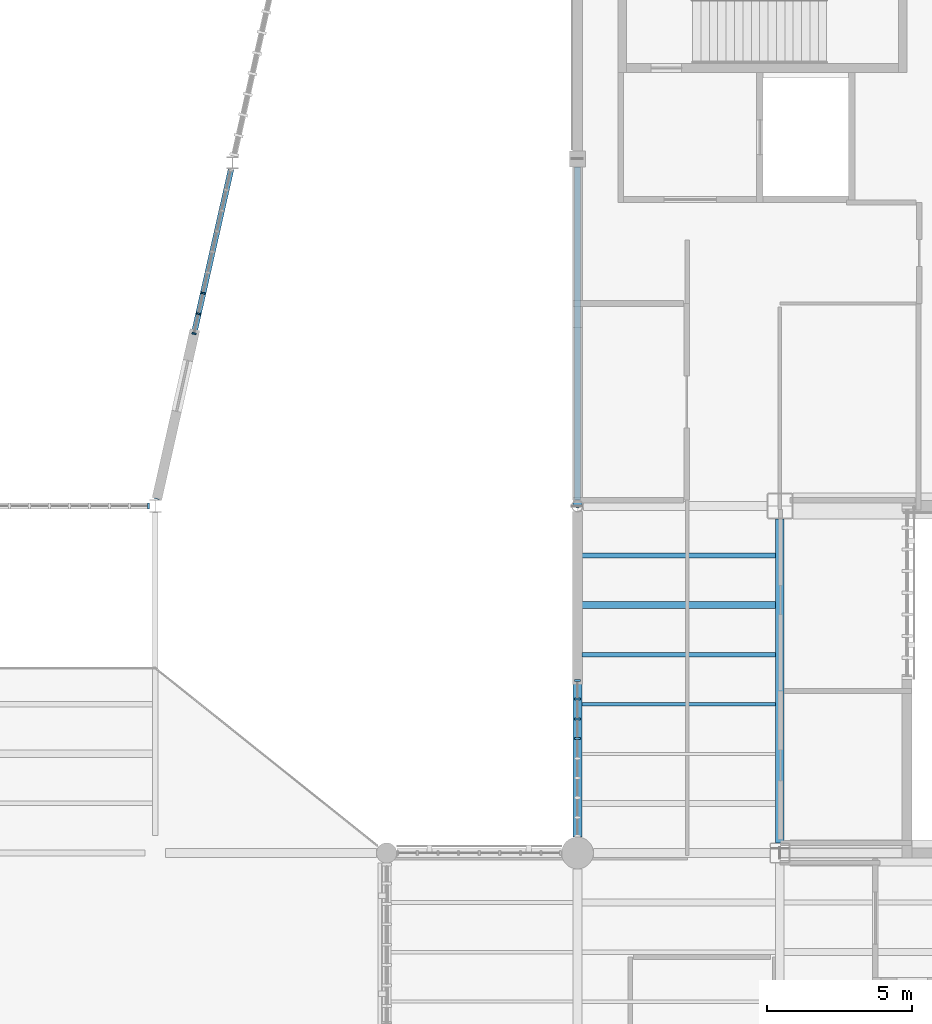
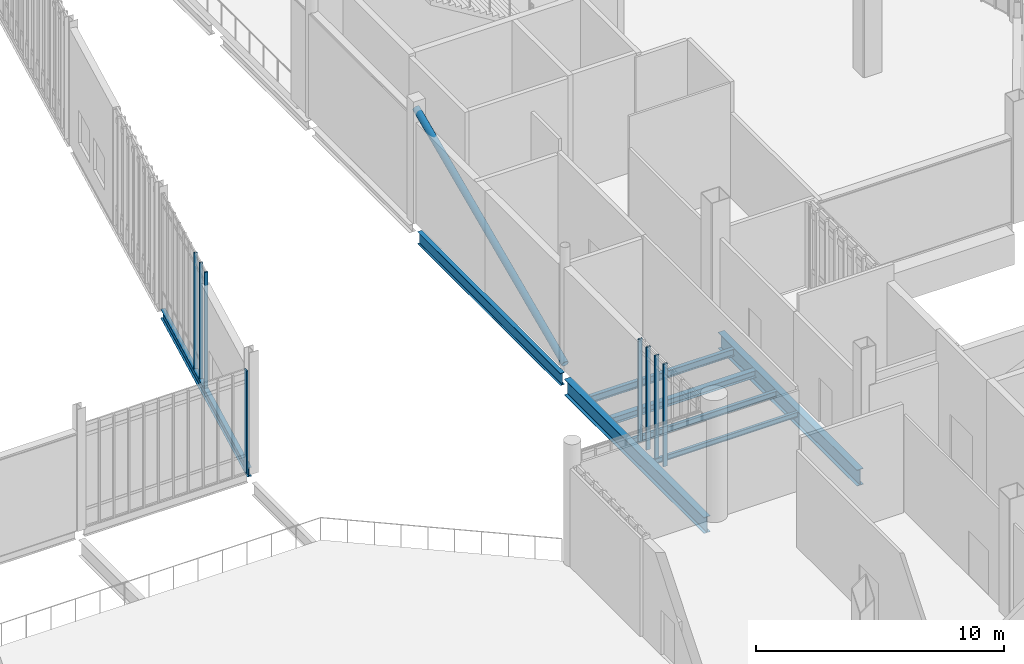
# One storey, part 24 of 135: 9 members, 8 beams, 3 elements without a shape of their own.
"""IFC4 building model written with IfcOpenShell, lengths in metres."""

from ifc_helpers import new_model, si_unit, direction, frame, origin, origin_2d, place, context, subcontext, project, spatial, rectangle, hollow_circle, i_section, extrude, material, material_profile, profile_set, type_object, element, aggregate, save


model = new_model("IFC4")

# Units and contexts
model_context = context("Model", 3, precision=1e-05, world=origin(), true_north=direction((0.0, 1.0)))
body_context = subcontext(model_context, "Body", "Model", "MODEL_VIEW")
ifc_project = project(units=[si_unit("LENGTHUNIT", "METRE"), si_unit("AREAUNIT", "SQUARE_METRE"), si_unit("VOLUMEUNIT", "CUBIC_METRE"), si_unit("PLANEANGLEUNIT", "RADIAN"), si_unit("MASSUNIT", "GRAM", prefix="KILO")], contexts=[model_context])

# Site, building, storey
site_placement = place(None, origin())
site = spatial("IfcSite", under=ifc_project, at=site_placement, CompositionType="ELEMENT")
building_placement = place(site_placement, origin())
building = spatial("IfcBuilding", under=site, at=building_placement, Name="Larkvane Passage Sports Hall", CompositionType="ELEMENT")
storey_placement = place(building_placement, frame((0.0, 0.0, 10.800048828125)))
storey = spatial("IfcBuildingStorey", under=building, at=storey_placement, Name="L02", CompositionType="ELEMENT", Elevation=10.800048828125)

# Beams
ifc_material_1 = material(Name="Steel S355JR", Category="steel")
ifc_material_profile_1 = material_profile(ifc_material_1, i_section(OverallWidth=0.199951171875, OverallDepth=0.60009765625, WebThickness=0.010986328125, FlangeThickness=0.01708984375, FilletRadius=0.01806640625, at=origin_2d()), Name="H-600x200x11x17")
ifc_profile_set_1 = profile_set([ifc_material_profile_1], Name="Steel S355JR")
beam_type_1 = type_object("IfcBeamType", Name="BM-STL-H600", PredefinedType="BEAM", material=ifc_profile_set_1)
beam_1_placement = place(storey_placement, frame((124.60009765625, 63.80322265625, -0.719970703125), z_axis=(0.0, 1.0, 0.0), x_axis=(-1.0, 0.0, 0.0)))
element("IfcBeam", 1, at=beam_1_placement, inside=storey, type_object=beam_type_1, Name="Girder BM5-Y-L02-17-0781", PredefinedType="BEAM", context=body_context, shape_type="SweptSolid", body=[
    extrude(i_section(OverallWidth=0.199951171875, OverallDepth=0.60009765625, WebThickness=0.010986328125, FlangeThickness=0.01708984375, FilletRadius=0.01806640625, at=origin_2d()), origin(), (0.0, 0.0, 1.0), 11.521728515625),
])
ifc_material_2 = material(Name="Steel S460N", Category="steel")
ifc_material_profile_2 = material_profile(ifc_material_2, i_section(OverallWidth=0.300048828125, OverallDepth=0.7919921875, WebThickness=0.013916015625, FlangeThickness=0.02197265625, FilletRadius=0.02197265625, at=origin_2d()), Name="H-792x300x14x22")
ifc_profile_set_2 = profile_set([ifc_material_profile_2], Name="Steel S460N")
beam_type_2 = type_object("IfcBeamType", Name="BM-STL-H792", PredefinedType="BEAM", material=ifc_profile_set_2)
beam_2_placement = place(storey_placement, frame((124.60009765625, 52.14990234375, -0.816162109375), z_axis=(0.0, 1.0, 0.0), x_axis=(-1.0, 0.0, 0.0)))
element("IfcBeam", 2, at=beam_2_placement, inside=storey, type_object=beam_type_2, Name="Girder BM5-Y-L02-17-0780", PredefinedType="BEAM", context=body_context, shape_type="SweptSolid", body=[
    extrude(i_section(OverallWidth=0.300048828125, OverallDepth=0.7919921875, WebThickness=0.013916015625, FlangeThickness=0.02197265625, FilletRadius=0.02197265625, at=origin_2d()), origin(), (0.0, 0.0, 1.0), 11.246826171875),
])
beam_3_placement = place(storey_placement, frame((131.60009765625, 51.949951171875, -0.816162109375), z_axis=(0.0, 1.0, 0.0), x_axis=(-1.0, 0.0, 0.0)))
element("IfcBeam", 3, at=beam_3_placement, inside=storey, type_object=beam_type_2, Name="Girder BM5-Y-L02-18-0788", PredefinedType="BEAM", context=body_context, shape_type="SweptSolid", body=[
    extrude(i_section(OverallWidth=0.300048828125, OverallDepth=0.7919921875, WebThickness=0.013916015625, FlangeThickness=0.02197265625, FilletRadius=0.02197265625, at=origin_2d()), origin(), (0.0, 0.0, 1.0), 11.199951171875),
])

# Curtain wall, members
ifc_material_3 = material(Name="Thermally broken aluminium and low-E glazing", Category="aluminium")
curtain_wall_type_1 = type_object("IfcCurtainWallType", Name="CW-UNIT-COURT", PredefinedType="USERDEFINED", material=ifc_material_3)
curtain_wall_1_placement = place(storey_placement, origin())
curtain_wall_1 = element("IfcCurtainWall", 4, at=curtain_wall_1_placement, inside=storey, type_object=curtain_wall_type_1, Name="Curtain wall CW5-L02-084", ObjectType="UNITISED CURTAIN WALL", PredefinedType="USERDEFINED")
ifc_material_4 = material(Name="Anodised aluminium 6063-T6", Category="aluminium")
ifc_material_profile_3 = material_profile(ifc_material_4, rectangle(XDim=0.06005859375, YDim=0.14990234375, at=origin_2d()), Name="ALU-MUL-60x150")
ifc_profile_set_3 = profile_set([ifc_material_profile_3], Name="Anodised aluminium 6063-T6")
member_type_1 = type_object("IfcMemberType", Name="CW-MUL-60x150", PredefinedType="MULLION", material=ifc_profile_set_3)
member_1_placement = place(storey_placement, frame((111.654296875, 70.9619140625, 0.0), z_axis=(0.0, 0.0, 1.0), x_axis=(-0.219243647747, -0.975670140428, 0.0)))
member_1 = element("IfcMember", 5, at=member_1_placement, type_object=member_type_1, Name="CW-01 mullion 7", PredefinedType="MULLION", context=body_context, shape_type="SweptSolid", body=[
    extrude(rectangle(XDim=0.06005859375, YDim=0.14990234375, at=origin_2d()), origin(), (0.0, 0.0, 1.0), 5.699951171875),
])
member_2_placement = place(storey_placement, frame((111.494140625, 70.24853515625, 0.0), z_axis=(0.0, 0.0, 1.0), x_axis=(-0.219243647747, -0.975670140428, 0.0)))
member_2 = element("IfcMember", 6, at=member_2_placement, type_object=member_type_1, Name="CW-01 mullion 8", PredefinedType="MULLION", context=body_context, shape_type="SweptSolid", body=[
    extrude(rectangle(XDim=0.06005859375, YDim=0.14990234375, at=origin_2d()), origin(), (0.0, 0.0, 1.0), 5.699951171875),
])
member_3_placement = place(storey_placement, frame((111.34033203125, 69.564453125, 0.0), z_axis=(0.0, 0.0, 1.0), x_axis=(-0.219243647747, -0.975670140428, 0.0)))
member_3 = element("IfcMember", 7, at=member_3_placement, type_object=member_type_1, Name="CW-01 mullion 9", PredefinedType="MULLION", context=body_context, shape_type="SweptSolid", body=[
    extrude(rectangle(XDim=0.06005859375, YDim=0.14990234375, at=origin_2d()), origin(), (0.0, 0.0, 1.0), 5.699951171875),
])
aggregate(curtain_wall_1, [member_1, member_2, member_3])

curtain_wall_type_2 = type_object("IfcCurtainWallType", Name="CW-UNIT-VEIL", PredefinedType="USERDEFINED", material=ifc_material_3)
curtain_wall_2_placement = place(storey_placement, origin())
curtain_wall_2 = element("IfcCurtainWall", 8, at=curtain_wall_2_placement, inside=storey, type_object=curtain_wall_type_2, Name="Curtain wall CW5-L02-077", ObjectType="UNITISED CURTAIN WALL", PredefinedType="USERDEFINED")
ifc_material_profile_4 = material_profile(ifc_material_4, rectangle(XDim=0.070068359375, YDim=0.199951171875, at=origin_2d()), Name="ALU-MUL-70x200")
ifc_profile_set_4 = profile_set([ifc_material_profile_4], Name="Anodised aluminium 6063-T6")
member_type_2 = type_object("IfcMemberType", Name="CW-MUL-70x200", PredefinedType="MULLION", material=ifc_profile_set_4)
member_4_placement = place(storey_placement, frame((124.60009765625, 55.5546875, 0.0), z_axis=(0.0, 0.0, 1.0), x_axis=(0.0, 1.0, 0.0)))
member_4 = element("IfcMember", 9, at=member_4_placement, type_object=member_type_2, Name="CW-02 mullion 6", PredefinedType="MULLION", context=body_context, shape_type="SweptSolid", body=[
    extrude(rectangle(XDim=0.070068359375, YDim=0.199951171875, at=origin_2d()), origin(), (0.0, 0.0, 1.0), 5.0478515625),
])
member_5_placement = place(storey_placement, frame((124.60009765625, 56.236572265625, 0.0), z_axis=(0.0, 0.0, 1.0), x_axis=(0.0, 1.0, 0.0)))
member_5 = element("IfcMember", 10, at=member_5_placement, type_object=member_type_2, Name="CW-02 mullion 7", PredefinedType="MULLION", context=body_context, shape_type="SweptSolid", body=[
    extrude(rectangle(XDim=0.070068359375, YDim=0.199951171875, at=origin_2d()), origin(), (0.0, 0.0, 1.0), 5.0478515625),
])
member_6_placement = place(storey_placement, frame((124.60009765625, 56.918212890625, 0.0), z_axis=(0.0, 0.0, 1.0), x_axis=(0.0, 1.0, 0.0)))
member_6 = element("IfcMember", 11, at=member_6_placement, type_object=member_type_2, Name="CW-02 mullion 8", PredefinedType="MULLION", context=body_context, shape_type="SweptSolid", body=[
    extrude(rectangle(XDim=0.070068359375, YDim=0.199951171875, at=origin_2d()), origin(), (0.0, 0.0, 1.0), 5.0478515625),
])
member_7_placement = place(storey_placement, frame((124.60009765625, 57.56494140625, 0.0), z_axis=(0.0, 0.0, 1.0), x_axis=(0.0, 1.0, 0.0)))
member_7 = element("IfcMember", 12, at=member_7_placement, type_object=member_type_2, Name="CW-02 mullion 9", PredefinedType="MULLION", context=body_context, shape_type="SweptSolid", body=[
    extrude(rectangle(XDim=0.070068359375, YDim=0.199951171875, at=origin_2d()), origin(), (0.0, 0.0, 1.0), 5.0478515625),
])
aggregate(curtain_wall_2, [member_4, member_5, member_6, member_7])

# Curtain wall, member
curtain_wall_3_placement = place(storey_placement, origin())
curtain_wall_3 = element("IfcCurtainWall", 13, at=curtain_wall_3_placement, inside=storey, type_object=curtain_wall_type_2, Name="Curtain wall CW5-L02-085", ObjectType="UNITISED CURTAIN WALL", PredefinedType="USERDEFINED")
member_8_placement = place(storey_placement, frame((109.760498046875, 63.60009765625, 0.0), z_axis=(0.0, 0.0, 1.0), x_axis=(-1.0, 0.0, 0.0)))
member_8 = element("IfcMember", 14, at=member_8_placement, type_object=member_type_2, Name="CW-02 mullion 1", PredefinedType="MULLION", context=body_context, shape_type="SweptSolid", body=[
    extrude(rectangle(XDim=0.070068359375, YDim=0.199951171875, at=origin_2d()), origin(), (0.0, 0.0, 1.0), 5.06005859375),
])
aggregate(curtain_wall_3, [member_8])

# Beams
ifc_material_profile_5 = material_profile(ifc_material_1, i_section(OverallWidth=0.125, OverallDepth=0.25, WebThickness=0.006103515625, FlangeThickness=0.009033203125, FilletRadius=0.008056640625, at=origin_2d()), Name="H-250x125x6x9")
ifc_profile_set_5 = profile_set([ifc_material_profile_5], Name="Steel S355JR")
beam_type_3 = type_object("IfcBeamType", Name="JST-STL-H250", PredefinedType="JOIST", material=ifc_profile_set_5)
beam_4_placement = place(storey_placement, frame((124.75, 56.742919921875, -0.545166015625), z_axis=(1.0, 0.0, 0.0), x_axis=(0.0, 1.0, 0.0)))
element("IfcBeam", 15, at=beam_4_placement, inside=storey, type_object=beam_type_3, Name="Composite joist L02 17/G-3", PredefinedType="JOIST", context=body_context, shape_type="SweptSolid", body=[
    extrude(i_section(OverallWidth=0.125, OverallDepth=0.25, WebThickness=0.006103515625, FlangeThickness=0.009033203125, FilletRadius=0.008056640625, at=origin_2d()), origin(), (0.0, 0.0, 1.0), 6.699951171875),
])
ifc_material_profile_6 = material_profile(ifc_material_1, i_section(OverallWidth=0.14990234375, OverallDepth=0.300048828125, WebThickness=0.006591796875, FlangeThickness=0.009033203125, FilletRadius=0.012939453125, at=origin_2d()), Name="H-300x150x6.5x9")
ifc_profile_set_6 = profile_set([ifc_material_profile_6], Name="Steel S355JR")
beam_type_4 = type_object("IfcBeamType", Name="JST-STL-H300", PredefinedType="JOIST", material=ifc_profile_set_6)
beam_5_placement = place(storey_placement, frame((124.75, 58.45703125, -0.570068359375), z_axis=(1.0, 0.0, 0.0), x_axis=(0.0, 1.0, 0.0)))
element("IfcBeam", 16, at=beam_5_placement, inside=storey, type_object=beam_type_4, Name="Composite joist L02 17/G-4", PredefinedType="JOIST", context=body_context, shape_type="SweptSolid", body=[
    extrude(i_section(OverallWidth=0.14990234375, OverallDepth=0.300048828125, WebThickness=0.006591796875, FlangeThickness=0.009033203125, FilletRadius=0.012939453125, at=origin_2d()), origin(), (0.0, 0.0, 1.0), 6.699951171875),
])
ifc_material_profile_7 = material_profile(ifc_material_1, i_section(OverallWidth=0.25, OverallDepth=0.340087890625, WebThickness=0.009033203125, FlangeThickness=0.013916015625, FilletRadius=0.012939453125, at=origin_2d()), Name="H-340x250x9x14")
ifc_profile_set_7 = profile_set([ifc_material_profile_7], Name="Steel S355JR")
beam_type_5 = type_object("IfcBeamType", Name="JST-STL-H340", PredefinedType="JOIST", material=ifc_profile_set_7)
beam_6_placement = place(storey_placement, frame((124.75, 60.17138671875, -0.590087890625), z_axis=(1.0, 0.0, 0.0), x_axis=(0.0, 1.0, 0.0)))
element("IfcBeam", 17, at=beam_6_placement, inside=storey, type_object=beam_type_5, Name="Composite joist L02 17/G-5", PredefinedType="JOIST", context=body_context, shape_type="SweptSolid", body=[
    extrude(i_section(OverallWidth=0.25, OverallDepth=0.340087890625, WebThickness=0.009033203125, FlangeThickness=0.013916015625, FilletRadius=0.012939453125, at=origin_2d()), origin(), (0.0, 0.0, 1.0), 6.699951171875),
])
ifc_material_profile_8 = material_profile(ifc_material_1, i_section(OverallWidth=0.175048828125, OverallDepth=0.35009765625, WebThickness=0.007080078125, FlangeThickness=0.010986328125, FilletRadius=0.012939453125, at=origin_2d()), Name="H-350x175x7x11")
ifc_profile_set_8 = profile_set([ifc_material_profile_8], Name="Steel S355JR")
beam_type_6 = type_object("IfcBeamType", Name="JST-STL-H350", PredefinedType="JOIST", material=ifc_profile_set_8)
beam_7_placement = place(storey_placement, frame((124.75, 61.8857421875, -0.594970703125), z_axis=(1.0, 0.0, 0.0), x_axis=(0.0, 1.0, 0.0)))
element("IfcBeam", 18, at=beam_7_placement, inside=storey, type_object=beam_type_6, Name="Composite joist L02 17/G-6", PredefinedType="JOIST", context=body_context, shape_type="SweptSolid", body=[
    extrude(i_section(OverallWidth=0.175048828125, OverallDepth=0.35009765625, WebThickness=0.007080078125, FlangeThickness=0.010986328125, FilletRadius=0.012939453125, at=origin_2d()), origin(), (0.0, 0.0, 1.0), 6.699951171875),
])

# Member
ifc_material_profile_9 = material_profile(ifc_material_2, hollow_circle(Radius=0.1591796875, WallThickness=0.01025390625, at=origin_2d()), Name="CHS-318.5x10.3")
ifc_profile_set_9 = profile_set([ifc_material_profile_9], Name="Steel S460N")
member_type_3 = type_object("IfcMemberType", Name="MBR-BR-CHS318", PredefinedType="BRACE", material=ifc_profile_set_9)
member_9_placement = place(storey_placement, frame((124.60009765625, 63.60009765625, 0.14990234375), z_axis=(0.0, 0.914750753002, 0.404018638039), x_axis=(-1.0, 0.0, 0.0)))
element("IfcMember", 19, at=member_9_placement, inside=storey, type_object=member_type_3, Name="Lateral frame brace L02-5", PredefinedType="BRACE", context=body_context, shape_type="SweptSolid", body=[
    extrude(hollow_circle(Radius=0.1591796875, WallThickness=0.01025390625, at=origin_2d()), origin(), (0.0, 0.0, 1.0), 13.118408203125),
])

# Beam
ifc_material_profile_10 = material_profile(ifc_material_1, i_section(OverallWidth=0.199951171875, OverallDepth=0.449951171875, WebThickness=0.009033203125, FlangeThickness=0.013916015625, FilletRadius=0.01806640625, at=origin_2d()), Name="H-450x200x9x14")
ifc_profile_set_10 = profile_set([ifc_material_profile_10], Name="Steel S355JR")
beam_type_7 = type_object("IfcBeamType", Name="SP-STL-H450", PredefinedType="SPANDREL", material=ifc_profile_set_10)
beam_8_placement = place(storey_placement, frame((110.050048828125, 63.840087890625, -0.22509765625), z_axis=(0.219743159182, 0.97555776046, 0.0), x_axis=(-0.97555776046, 0.219743159182, 0.0)))
element("IfcBeam", 20, at=beam_8_placement, inside=storey, type_object=beam_type_7, Name="Climbing hall L02 spandrel beam BM5-V3-SP-E1", PredefinedType="SPANDREL", context=body_context, shape_type="SweptSolid", body=[
    extrude(i_section(OverallWidth=0.199951171875, OverallDepth=0.449951171875, WebThickness=0.009033203125, FlangeThickness=0.013916015625, FilletRadius=0.01806640625, at=origin_2d()), origin(), (0.0, 0.0, 1.0), 11.69580078125),
])

save(model, "model.ifc")
